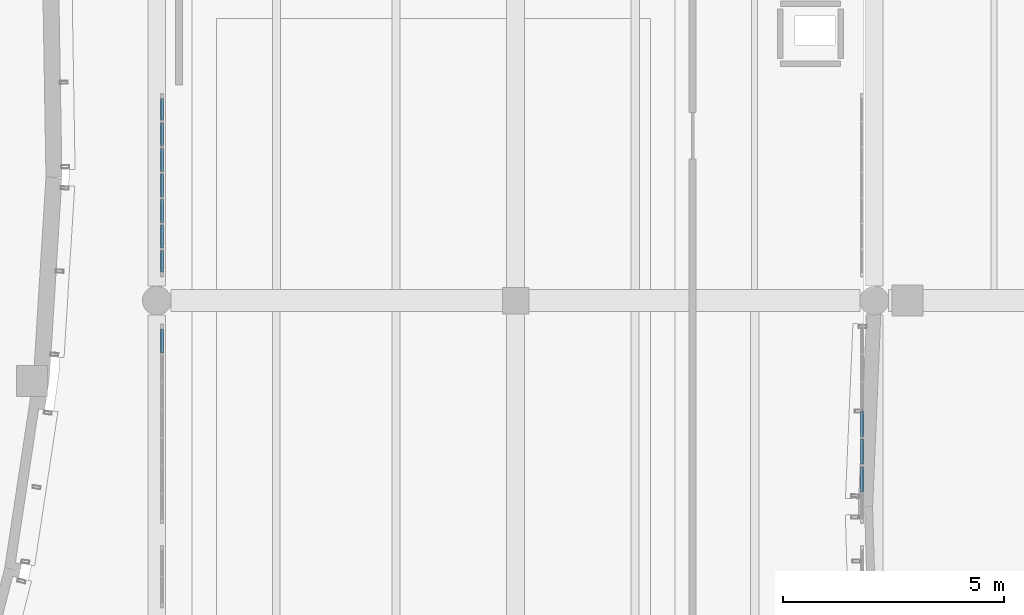
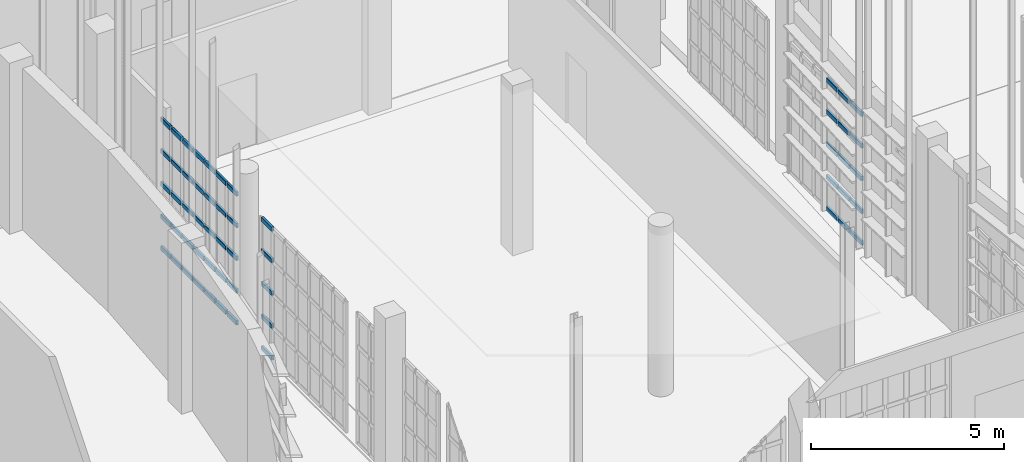
# One storey, part 308 of 372: 55 members, 3 elements without a shape of their own.
"""IFC4 building model written with IfcOpenShell, lengths in metres."""

from ifc_helpers import new_model, si_unit, direction, frame, origin, origin_2d, place, context, subcontext, project, spatial, hollow_rectangle, extrude, material, material_profile, profile_set, type_object, element, aggregate, save


model = new_model("IFC4")

# Units and contexts
model_context = context("Model", 3, precision=1e-05, world=origin(), true_north=direction((0.0, 1.0)))
body_context = subcontext(model_context, "Body", "Model", "MODEL_VIEW")
ifc_project = project(units=[si_unit("LENGTHUNIT", "METRE"), si_unit("AREAUNIT", "SQUARE_METRE"), si_unit("VOLUMEUNIT", "CUBIC_METRE"), si_unit("PLANEANGLEUNIT", "RADIAN"), si_unit("MASSUNIT", "GRAM", prefix="KILO")], contexts=[model_context])

# Site, building, storey
site_placement = place(None, origin())
site = spatial("IfcSite", under=ifc_project, at=site_placement, CompositionType="ELEMENT")
building_placement = place(site_placement, origin())
building = spatial("IfcBuilding", under=site, at=building_placement, Name="Kaelora Sail Theatre", CompositionType="ELEMENT")
storey_placement = place(building_placement, origin())
storey = spatial("IfcBuildingStorey", under=building, at=storey_placement, Name="L00", CompositionType="ELEMENT", Elevation=0.0)

# Curtain wall, members
ifc_material_1 = material(Name="Anodised aluminium and solar-control low-E IGU", Category="aluminium")
curtain_wall_type = type_object("IfcCurtainWallType", Name="ARC-CW-CW-FOY2", PredefinedType="NOTDEFINED", material=ifc_material_1)
curtain_wall_1_placement = place(storey_placement, origin())
curtain_wall_1 = element("IfcCurtainWall", 1, at=curtain_wall_1_placement, inside=storey, type_object=curtain_wall_type, Name="East Interstitial Foyer West Glazed Return L00-03", PredefinedType="NOTDEFINED")
ifc_material_2 = material(Name="Anodised aluminium 6063-T6", Category="aluminium")
ifc_material_profile = material_profile(ifc_material_2, hollow_rectangle(XDim=0.070068359375, YDim=0.139892578125, WallThickness=0.00390625, InnerFilletRadius=0.00390625, OuterFilletRadius=0.008056640625, at=origin_2d()), Name="ALU-TRAN 70x140x4")
ifc_profile_set = profile_set([ifc_material_profile], Name="Anodised aluminium 6063-T6")
member_type = type_object("IfcMemberType", Name="ARC-MEM-TR-140", PredefinedType="USERDEFINED", material=ifc_profile_set)
member_1_placement = place(storey_placement, frame((106.919921875, 52.397216796875, 0.034912109375), z_axis=(0.0, 1.0, 0.0), x_axis=(-1.0, 0.0, 0.0)))
member_1 = element("IfcMember", 2, at=member_1_placement, type_object=member_type, Name="CW-FOY2 transom 7.1", ObjectType="TRANSOM", PredefinedType="USERDEFINED", context=body_context, shape_type="SweptSolid", body=[
    extrude(hollow_rectangle(XDim=0.070068359375, YDim=0.139892578125, WallThickness=0.00390625, InnerFilletRadius=0.00390625, OuterFilletRadius=0.008056640625, at=origin_2d()), origin(), (0.0, 0.0, 1.0), 0.537841796875),
])
member_2_placement = place(storey_placement, frame((106.919921875, 52.397216796875, 1.0341796875), z_axis=(0.0, 1.0, 0.0), x_axis=(-1.0, 0.0, 0.0)))
member_2 = element("IfcMember", 3, at=member_2_placement, type_object=member_type, Name="CW-FOY2 transom 7.2", ObjectType="TRANSOM", PredefinedType="USERDEFINED", context=body_context, shape_type="SweptSolid", body=[
    extrude(hollow_rectangle(XDim=0.070068359375, YDim=0.139892578125, WallThickness=0.00390625, InnerFilletRadius=0.00390625, OuterFilletRadius=0.008056640625, at=origin_2d()), origin(), (0.0, 0.0, 1.0), 0.537841796875),
])
member_3_placement = place(storey_placement, frame((106.919921875, 52.397216796875, 2.068603515625), z_axis=(0.0, 1.0, 0.0), x_axis=(-1.0, 0.0, 0.0)))
member_3 = element("IfcMember", 4, at=member_3_placement, type_object=member_type, Name="CW-FOY2 transom 7.3", ObjectType="TRANSOM", PredefinedType="USERDEFINED", context=body_context, shape_type="SweptSolid", body=[
    extrude(hollow_rectangle(XDim=0.070068359375, YDim=0.139892578125, WallThickness=0.00390625, InnerFilletRadius=0.00390625, OuterFilletRadius=0.008056640625, at=origin_2d()), origin(), (0.0, 0.0, 1.0), 0.537841796875),
])
member_4_placement = place(storey_placement, frame((106.919921875, 52.397216796875, 3.102783203125), z_axis=(0.0, 1.0, 0.0), x_axis=(-1.0, 0.0, 0.0)))
member_4 = element("IfcMember", 5, at=member_4_placement, type_object=member_type, Name="CW-FOY2 transom 7.4", ObjectType="TRANSOM", PredefinedType="USERDEFINED", context=body_context, shape_type="SweptSolid", body=[
    extrude(hollow_rectangle(XDim=0.070068359375, YDim=0.139892578125, WallThickness=0.00390625, InnerFilletRadius=0.00390625, OuterFilletRadius=0.008056640625, at=origin_2d()), origin(), (0.0, 0.0, 1.0), 0.537841796875),
])
member_5_placement = place(storey_placement, frame((106.919921875, 52.397216796875, 4.10205078125), z_axis=(0.0, 1.0, 0.0), x_axis=(-1.0, 0.0, 0.0)))
member_5 = element("IfcMember", 6, at=member_5_placement, type_object=member_type, Name="CW-FOY2 transom 7.5", ObjectType="TRANSOM", PredefinedType="USERDEFINED", context=body_context, shape_type="SweptSolid", body=[
    extrude(hollow_rectangle(XDim=0.070068359375, YDim=0.139892578125, WallThickness=0.00390625, InnerFilletRadius=0.00390625, OuterFilletRadius=0.008056640625, at=origin_2d()), origin(), (0.0, 0.0, 1.0), 0.537841796875),
])
aggregate(curtain_wall_1, [member_1, member_2, member_3, member_4, member_5])

curtain_wall_2_placement = place(storey_placement, origin())
curtain_wall_2 = element("IfcCurtainWall", 7, at=curtain_wall_2_placement, inside=storey, type_object=curtain_wall_type, Name="East Interstitial Foyer East Glazed Return L00-03", PredefinedType="NOTDEFINED")
member_6_placement = place(storey_placement, frame((122.719970703125, 49.2578125, 0.034912109375), z_axis=(0.0, 1.0, 0.0), x_axis=(-1.0, 0.0, 0.0)))
member_6 = element("IfcMember", 8, at=member_6_placement, type_object=member_type, Name="CW-FOY2 transom 2.1", ObjectType="TRANSOM", PredefinedType="USERDEFINED", context=body_context, shape_type="SweptSolid", body=[
    extrude(hollow_rectangle(XDim=0.070068359375, YDim=0.139892578125, WallThickness=0.00390625, InnerFilletRadius=0.00390625, OuterFilletRadius=0.008056640625, at=origin_2d()), origin(), (0.0, 0.0, 1.0), 0.56787109375),
])
member_7_placement = place(storey_placement, frame((122.719970703125, 49.2578125, 1.0341796875), z_axis=(0.0, 1.0, 0.0), x_axis=(-1.0, 0.0, 0.0)))
member_7 = element("IfcMember", 9, at=member_7_placement, type_object=member_type, Name="CW-FOY2 transom 2.2", ObjectType="TRANSOM", PredefinedType="USERDEFINED", context=body_context, shape_type="SweptSolid", body=[
    extrude(hollow_rectangle(XDim=0.070068359375, YDim=0.139892578125, WallThickness=0.00390625, InnerFilletRadius=0.00390625, OuterFilletRadius=0.008056640625, at=origin_2d()), origin(), (0.0, 0.0, 1.0), 0.56787109375),
])
member_8_placement = place(storey_placement, frame((122.719970703125, 49.2578125, 2.068603515625), z_axis=(0.0, 1.0, 0.0), x_axis=(-1.0, 0.0, 0.0)))
member_8 = element("IfcMember", 10, at=member_8_placement, type_object=member_type, Name="CW-FOY2 transom 2.3", ObjectType="TRANSOM", PredefinedType="USERDEFINED", context=body_context, shape_type="SweptSolid", body=[
    extrude(hollow_rectangle(XDim=0.070068359375, YDim=0.139892578125, WallThickness=0.00390625, InnerFilletRadius=0.00390625, OuterFilletRadius=0.008056640625, at=origin_2d()), origin(), (0.0, 0.0, 1.0), 0.56787109375),
])
member_9_placement = place(storey_placement, frame((122.719970703125, 49.2578125, 3.102783203125), z_axis=(0.0, 1.0, 0.0), x_axis=(-1.0, 0.0, 0.0)))
member_9 = element("IfcMember", 11, at=member_9_placement, type_object=member_type, Name="CW-FOY2 transom 2.4", ObjectType="TRANSOM", PredefinedType="USERDEFINED", context=body_context, shape_type="SweptSolid", body=[
    extrude(hollow_rectangle(XDim=0.070068359375, YDim=0.139892578125, WallThickness=0.00390625, InnerFilletRadius=0.00390625, OuterFilletRadius=0.008056640625, at=origin_2d()), origin(), (0.0, 0.0, 1.0), 0.56787109375),
])
member_10_placement = place(storey_placement, frame((122.719970703125, 49.2578125, 4.10205078125), z_axis=(0.0, 1.0, 0.0), x_axis=(-1.0, 0.0, 0.0)))
member_10 = element("IfcMember", 12, at=member_10_placement, type_object=member_type, Name="CW-FOY2 transom 2.5", ObjectType="TRANSOM", PredefinedType="USERDEFINED", context=body_context, shape_type="SweptSolid", body=[
    extrude(hollow_rectangle(XDim=0.070068359375, YDim=0.139892578125, WallThickness=0.00390625, InnerFilletRadius=0.00390625, OuterFilletRadius=0.008056640625, at=origin_2d()), origin(), (0.0, 0.0, 1.0), 0.56787109375),
])
member_11_placement = place(storey_placement, frame((122.719970703125, 49.8857421875, 0.034912109375), z_axis=(0.0, 1.0, 0.0), x_axis=(-1.0, 0.0, 0.0)))
member_11 = element("IfcMember", 13, at=member_11_placement, type_object=member_type, Name="CW-FOY2 transom 3.1", ObjectType="TRANSOM", PredefinedType="USERDEFINED", context=body_context, shape_type="SweptSolid", body=[
    extrude(hollow_rectangle(XDim=0.070068359375, YDim=0.139892578125, WallThickness=0.00390625, InnerFilletRadius=0.00390625, OuterFilletRadius=0.008056640625, at=origin_2d()), origin(), (0.0, 0.0, 1.0), 0.56787109375),
])
member_12_placement = place(storey_placement, frame((122.719970703125, 49.8857421875, 1.0341796875), z_axis=(0.0, 1.0, 0.0), x_axis=(-1.0, 0.0, 0.0)))
member_12 = element("IfcMember", 14, at=member_12_placement, type_object=member_type, Name="CW-FOY2 transom 3.2", ObjectType="TRANSOM", PredefinedType="USERDEFINED", context=body_context, shape_type="SweptSolid", body=[
    extrude(hollow_rectangle(XDim=0.070068359375, YDim=0.139892578125, WallThickness=0.00390625, InnerFilletRadius=0.00390625, OuterFilletRadius=0.008056640625, at=origin_2d()), origin(), (0.0, 0.0, 1.0), 0.56787109375),
])
member_13_placement = place(storey_placement, frame((122.719970703125, 49.8857421875, 2.068603515625), z_axis=(0.0, 1.0, 0.0), x_axis=(-1.0, 0.0, 0.0)))
member_13 = element("IfcMember", 15, at=member_13_placement, type_object=member_type, Name="CW-FOY2 transom 3.3", ObjectType="TRANSOM", PredefinedType="USERDEFINED", context=body_context, shape_type="SweptSolid", body=[
    extrude(hollow_rectangle(XDim=0.070068359375, YDim=0.139892578125, WallThickness=0.00390625, InnerFilletRadius=0.00390625, OuterFilletRadius=0.008056640625, at=origin_2d()), origin(), (0.0, 0.0, 1.0), 0.56787109375),
])
member_14_placement = place(storey_placement, frame((122.719970703125, 49.8857421875, 3.102783203125), z_axis=(0.0, 1.0, 0.0), x_axis=(-1.0, 0.0, 0.0)))
member_14 = element("IfcMember", 16, at=member_14_placement, type_object=member_type, Name="CW-FOY2 transom 3.4", ObjectType="TRANSOM", PredefinedType="USERDEFINED", context=body_context, shape_type="SweptSolid", body=[
    extrude(hollow_rectangle(XDim=0.070068359375, YDim=0.139892578125, WallThickness=0.00390625, InnerFilletRadius=0.00390625, OuterFilletRadius=0.008056640625, at=origin_2d()), origin(), (0.0, 0.0, 1.0), 0.56787109375),
])
member_15_placement = place(storey_placement, frame((122.719970703125, 49.8857421875, 4.10205078125), z_axis=(0.0, 1.0, 0.0), x_axis=(-1.0, 0.0, 0.0)))
member_15 = element("IfcMember", 17, at=member_15_placement, type_object=member_type, Name="CW-FOY2 transom 3.5", ObjectType="TRANSOM", PredefinedType="USERDEFINED", context=body_context, shape_type="SweptSolid", body=[
    extrude(hollow_rectangle(XDim=0.070068359375, YDim=0.139892578125, WallThickness=0.00390625, InnerFilletRadius=0.00390625, OuterFilletRadius=0.008056640625, at=origin_2d()), origin(), (0.0, 0.0, 1.0), 0.56787109375),
])
member_16_placement = place(storey_placement, frame((122.719970703125, 50.513671875, 0.034912109375), z_axis=(0.0, 1.0, 0.0), x_axis=(-1.0, 0.0, 0.0)))
member_16 = element("IfcMember", 18, at=member_16_placement, type_object=member_type, Name="CW-FOY2 transom 4.1", ObjectType="TRANSOM", PredefinedType="USERDEFINED", context=body_context, shape_type="SweptSolid", body=[
    extrude(hollow_rectangle(XDim=0.070068359375, YDim=0.139892578125, WallThickness=0.00390625, InnerFilletRadius=0.00390625, OuterFilletRadius=0.008056640625, at=origin_2d()), origin(), (0.0, 0.0, 1.0), 0.56787109375),
])
member_17_placement = place(storey_placement, frame((122.719970703125, 50.513671875, 1.0341796875), z_axis=(0.0, 1.0, 0.0), x_axis=(-1.0, 0.0, 0.0)))
member_17 = element("IfcMember", 19, at=member_17_placement, type_object=member_type, Name="CW-FOY2 transom 4.2", ObjectType="TRANSOM", PredefinedType="USERDEFINED", context=body_context, shape_type="SweptSolid", body=[
    extrude(hollow_rectangle(XDim=0.070068359375, YDim=0.139892578125, WallThickness=0.00390625, InnerFilletRadius=0.00390625, OuterFilletRadius=0.008056640625, at=origin_2d()), origin(), (0.0, 0.0, 1.0), 0.56787109375),
])
member_18_placement = place(storey_placement, frame((122.719970703125, 50.513671875, 2.068603515625), z_axis=(0.0, 1.0, 0.0), x_axis=(-1.0, 0.0, 0.0)))
member_18 = element("IfcMember", 20, at=member_18_placement, type_object=member_type, Name="CW-FOY2 transom 4.3", ObjectType="TRANSOM", PredefinedType="USERDEFINED", context=body_context, shape_type="SweptSolid", body=[
    extrude(hollow_rectangle(XDim=0.070068359375, YDim=0.139892578125, WallThickness=0.00390625, InnerFilletRadius=0.00390625, OuterFilletRadius=0.008056640625, at=origin_2d()), origin(), (0.0, 0.0, 1.0), 0.56787109375),
])
member_19_placement = place(storey_placement, frame((122.719970703125, 50.513671875, 3.102783203125), z_axis=(0.0, 1.0, 0.0), x_axis=(-1.0, 0.0, 0.0)))
member_19 = element("IfcMember", 21, at=member_19_placement, type_object=member_type, Name="CW-FOY2 transom 4.4", ObjectType="TRANSOM", PredefinedType="USERDEFINED", context=body_context, shape_type="SweptSolid", body=[
    extrude(hollow_rectangle(XDim=0.070068359375, YDim=0.139892578125, WallThickness=0.00390625, InnerFilletRadius=0.00390625, OuterFilletRadius=0.008056640625, at=origin_2d()), origin(), (0.0, 0.0, 1.0), 0.56787109375),
])
member_20_placement = place(storey_placement, frame((122.719970703125, 50.513671875, 4.10205078125), z_axis=(0.0, 1.0, 0.0), x_axis=(-1.0, 0.0, 0.0)))
member_20 = element("IfcMember", 22, at=member_20_placement, type_object=member_type, Name="CW-FOY2 transom 4.5", ObjectType="TRANSOM", PredefinedType="USERDEFINED", context=body_context, shape_type="SweptSolid", body=[
    extrude(hollow_rectangle(XDim=0.070068359375, YDim=0.139892578125, WallThickness=0.00390625, InnerFilletRadius=0.00390625, OuterFilletRadius=0.008056640625, at=origin_2d()), origin(), (0.0, 0.0, 1.0), 0.56787109375),
])
aggregate(curtain_wall_2, [member_6, member_7, member_8, member_9, member_10, member_11, member_12, member_13, member_14, member_15, member_16, member_17, member_18, member_19, member_20])

curtain_wall_3_placement = place(storey_placement, origin())
curtain_wall_3 = element("IfcCurtainWall", 23, at=curtain_wall_3_placement, inside=storey, type_object=curtain_wall_type, Name="East Interstitial Foyer West Glazed Return L00-04", PredefinedType="NOTDEFINED")
member_21_placement = place(storey_placement, frame((106.919921875, 54.22509765625, 0.034912109375), z_axis=(0.0, 1.0, 0.0), x_axis=(-1.0, 0.0, 0.0)))
member_21 = element("IfcMember", 24, at=member_21_placement, type_object=member_type, Name="CW-FOY2 transom 1.1", ObjectType="TRANSOM", PredefinedType="USERDEFINED", context=body_context, shape_type="SweptSolid", body=[
    extrude(hollow_rectangle(XDim=0.070068359375, YDim=0.139892578125, WallThickness=0.00390625, InnerFilletRadius=0.00390625, OuterFilletRadius=0.008056640625, at=origin_2d()), origin(), (0.0, 0.0, 1.0), 0.486328125),
])
member_22_placement = place(storey_placement, frame((106.919921875, 54.22509765625, 1.0341796875), z_axis=(0.0, 1.0, 0.0), x_axis=(-1.0, 0.0, 0.0)))
member_22 = element("IfcMember", 25, at=member_22_placement, type_object=member_type, Name="CW-FOY2 transom 1.2", ObjectType="TRANSOM", PredefinedType="USERDEFINED", context=body_context, shape_type="SweptSolid", body=[
    extrude(hollow_rectangle(XDim=0.070068359375, YDim=0.139892578125, WallThickness=0.00390625, InnerFilletRadius=0.00390625, OuterFilletRadius=0.008056640625, at=origin_2d()), origin(), (0.0, 0.0, 1.0), 0.486328125),
])
member_23_placement = place(storey_placement, frame((106.919921875, 54.22509765625, 2.068603515625), z_axis=(0.0, 1.0, 0.0), x_axis=(-1.0, 0.0, 0.0)))
member_23 = element("IfcMember", 26, at=member_23_placement, type_object=member_type, Name="CW-FOY2 transom 1.3", ObjectType="TRANSOM", PredefinedType="USERDEFINED", context=body_context, shape_type="SweptSolid", body=[
    extrude(hollow_rectangle(XDim=0.070068359375, YDim=0.139892578125, WallThickness=0.00390625, InnerFilletRadius=0.00390625, OuterFilletRadius=0.008056640625, at=origin_2d()), origin(), (0.0, 0.0, 1.0), 0.486328125),
])
member_24_placement = place(storey_placement, frame((106.919921875, 54.22509765625, 3.102783203125), z_axis=(0.0, 1.0, 0.0), x_axis=(-1.0, 0.0, 0.0)))
member_24 = element("IfcMember", 27, at=member_24_placement, type_object=member_type, Name="CW-FOY2 transom 1.4", ObjectType="TRANSOM", PredefinedType="USERDEFINED", context=body_context, shape_type="SweptSolid", body=[
    extrude(hollow_rectangle(XDim=0.070068359375, YDim=0.139892578125, WallThickness=0.00390625, InnerFilletRadius=0.00390625, OuterFilletRadius=0.008056640625, at=origin_2d()), origin(), (0.0, 0.0, 1.0), 0.486328125),
])
member_25_placement = place(storey_placement, frame((106.919921875, 54.22509765625, 4.10205078125), z_axis=(0.0, 1.0, 0.0), x_axis=(-1.0, 0.0, 0.0)))
member_25 = element("IfcMember", 28, at=member_25_placement, type_object=member_type, Name="CW-FOY2 transom 1.5", ObjectType="TRANSOM", PredefinedType="USERDEFINED", context=body_context, shape_type="SweptSolid", body=[
    extrude(hollow_rectangle(XDim=0.070068359375, YDim=0.139892578125, WallThickness=0.00390625, InnerFilletRadius=0.00390625, OuterFilletRadius=0.008056640625, at=origin_2d()), origin(), (0.0, 0.0, 1.0), 0.486328125),
])
member_26_placement = place(storey_placement, frame((106.919921875, 54.771484375, 0.034912109375), z_axis=(0.0, 1.0, 0.0), x_axis=(-1.0, 0.0, 0.0)))
member_26 = element("IfcMember", 29, at=member_26_placement, type_object=member_type, Name="CW-FOY2 transom 2.1", ObjectType="TRANSOM", PredefinedType="USERDEFINED", context=body_context, shape_type="SweptSolid", body=[
    extrude(hollow_rectangle(XDim=0.070068359375, YDim=0.139892578125, WallThickness=0.00390625, InnerFilletRadius=0.00390625, OuterFilletRadius=0.008056640625, at=origin_2d()), origin(), (0.0, 0.0, 1.0), 0.516357421875),
])
member_27_placement = place(storey_placement, frame((106.919921875, 54.771484375, 1.0341796875), z_axis=(0.0, 1.0, 0.0), x_axis=(-1.0, 0.0, 0.0)))
member_27 = element("IfcMember", 30, at=member_27_placement, type_object=member_type, Name="CW-FOY2 transom 2.2", ObjectType="TRANSOM", PredefinedType="USERDEFINED", context=body_context, shape_type="SweptSolid", body=[
    extrude(hollow_rectangle(XDim=0.070068359375, YDim=0.139892578125, WallThickness=0.00390625, InnerFilletRadius=0.00390625, OuterFilletRadius=0.008056640625, at=origin_2d()), origin(), (0.0, 0.0, 1.0), 0.516357421875),
])
member_28_placement = place(storey_placement, frame((106.919921875, 54.771484375, 2.068603515625), z_axis=(0.0, 1.0, 0.0), x_axis=(-1.0, 0.0, 0.0)))
member_28 = element("IfcMember", 31, at=member_28_placement, type_object=member_type, Name="CW-FOY2 transom 2.3", ObjectType="TRANSOM", PredefinedType="USERDEFINED", context=body_context, shape_type="SweptSolid", body=[
    extrude(hollow_rectangle(XDim=0.070068359375, YDim=0.139892578125, WallThickness=0.00390625, InnerFilletRadius=0.00390625, OuterFilletRadius=0.008056640625, at=origin_2d()), origin(), (0.0, 0.0, 1.0), 0.516357421875),
])
member_29_placement = place(storey_placement, frame((106.919921875, 54.771484375, 3.102783203125), z_axis=(0.0, 1.0, 0.0), x_axis=(-1.0, 0.0, 0.0)))
member_29 = element("IfcMember", 32, at=member_29_placement, type_object=member_type, Name="CW-FOY2 transom 2.4", ObjectType="TRANSOM", PredefinedType="USERDEFINED", context=body_context, shape_type="SweptSolid", body=[
    extrude(hollow_rectangle(XDim=0.070068359375, YDim=0.139892578125, WallThickness=0.00390625, InnerFilletRadius=0.00390625, OuterFilletRadius=0.008056640625, at=origin_2d()), origin(), (0.0, 0.0, 1.0), 0.516357421875),
])
member_30_placement = place(storey_placement, frame((106.919921875, 54.771484375, 4.10205078125), z_axis=(0.0, 1.0, 0.0), x_axis=(-1.0, 0.0, 0.0)))
member_30 = element("IfcMember", 33, at=member_30_placement, type_object=member_type, Name="CW-FOY2 transom 2.5", ObjectType="TRANSOM", PredefinedType="USERDEFINED", context=body_context, shape_type="SweptSolid", body=[
    extrude(hollow_rectangle(XDim=0.070068359375, YDim=0.139892578125, WallThickness=0.00390625, InnerFilletRadius=0.00390625, OuterFilletRadius=0.008056640625, at=origin_2d()), origin(), (0.0, 0.0, 1.0), 0.516357421875),
])
member_31_placement = place(storey_placement, frame((106.919921875, 55.347900390625, 0.034912109375), z_axis=(0.0, 1.0, 0.0), x_axis=(-1.0, 0.0, 0.0)))
member_31 = element("IfcMember", 34, at=member_31_placement, type_object=member_type, Name="CW-FOY2 transom 3.1", ObjectType="TRANSOM", PredefinedType="USERDEFINED", context=body_context, shape_type="SweptSolid", body=[
    extrude(hollow_rectangle(XDim=0.070068359375, YDim=0.139892578125, WallThickness=0.00390625, InnerFilletRadius=0.00390625, OuterFilletRadius=0.008056640625, at=origin_2d()), origin(), (0.0, 0.0, 1.0), 0.516357421875),
])
member_32_placement = place(storey_placement, frame((106.919921875, 55.347900390625, 1.0341796875), z_axis=(0.0, 1.0, 0.0), x_axis=(-1.0, 0.0, 0.0)))
member_32 = element("IfcMember", 35, at=member_32_placement, type_object=member_type, Name="CW-FOY2 transom 3.2", ObjectType="TRANSOM", PredefinedType="USERDEFINED", context=body_context, shape_type="SweptSolid", body=[
    extrude(hollow_rectangle(XDim=0.070068359375, YDim=0.139892578125, WallThickness=0.00390625, InnerFilletRadius=0.00390625, OuterFilletRadius=0.008056640625, at=origin_2d()), origin(), (0.0, 0.0, 1.0), 0.516357421875),
])
member_33_placement = place(storey_placement, frame((106.919921875, 55.347900390625, 2.068603515625), z_axis=(0.0, 1.0, 0.0), x_axis=(-1.0, 0.0, 0.0)))
member_33 = element("IfcMember", 36, at=member_33_placement, type_object=member_type, Name="CW-FOY2 transom 3.3", ObjectType="TRANSOM", PredefinedType="USERDEFINED", context=body_context, shape_type="SweptSolid", body=[
    extrude(hollow_rectangle(XDim=0.070068359375, YDim=0.139892578125, WallThickness=0.00390625, InnerFilletRadius=0.00390625, OuterFilletRadius=0.008056640625, at=origin_2d()), origin(), (0.0, 0.0, 1.0), 0.516357421875),
])
member_34_placement = place(storey_placement, frame((106.919921875, 55.347900390625, 3.102783203125), z_axis=(0.0, 1.0, 0.0), x_axis=(-1.0, 0.0, 0.0)))
member_34 = element("IfcMember", 37, at=member_34_placement, type_object=member_type, Name="CW-FOY2 transom 3.4", ObjectType="TRANSOM", PredefinedType="USERDEFINED", context=body_context, shape_type="SweptSolid", body=[
    extrude(hollow_rectangle(XDim=0.070068359375, YDim=0.139892578125, WallThickness=0.00390625, InnerFilletRadius=0.00390625, OuterFilletRadius=0.008056640625, at=origin_2d()), origin(), (0.0, 0.0, 1.0), 0.516357421875),
])
member_35_placement = place(storey_placement, frame((106.919921875, 55.347900390625, 4.10205078125), z_axis=(0.0, 1.0, 0.0), x_axis=(-1.0, 0.0, 0.0)))
member_35 = element("IfcMember", 38, at=member_35_placement, type_object=member_type, Name="CW-FOY2 transom 3.5", ObjectType="TRANSOM", PredefinedType="USERDEFINED", context=body_context, shape_type="SweptSolid", body=[
    extrude(hollow_rectangle(XDim=0.070068359375, YDim=0.139892578125, WallThickness=0.00390625, InnerFilletRadius=0.00390625, OuterFilletRadius=0.008056640625, at=origin_2d()), origin(), (0.0, 0.0, 1.0), 0.516357421875),
])
member_36_placement = place(storey_placement, frame((106.919921875, 55.92431640625, 0.034912109375), z_axis=(0.0, 1.0, 0.0), x_axis=(-1.0, 0.0, 0.0)))
member_36 = element("IfcMember", 39, at=member_36_placement, type_object=member_type, Name="CW-FOY2 transom 4.1", ObjectType="TRANSOM", PredefinedType="USERDEFINED", context=body_context, shape_type="SweptSolid", body=[
    extrude(hollow_rectangle(XDim=0.070068359375, YDim=0.139892578125, WallThickness=0.00390625, InnerFilletRadius=0.00390625, OuterFilletRadius=0.008056640625, at=origin_2d()), origin(), (0.0, 0.0, 1.0), 0.516357421875),
])
member_37_placement = place(storey_placement, frame((106.919921875, 55.92431640625, 1.0341796875), z_axis=(0.0, 1.0, 0.0), x_axis=(-1.0, 0.0, 0.0)))
member_37 = element("IfcMember", 40, at=member_37_placement, type_object=member_type, Name="CW-FOY2 transom 4.2", ObjectType="TRANSOM", PredefinedType="USERDEFINED", context=body_context, shape_type="SweptSolid", body=[
    extrude(hollow_rectangle(XDim=0.070068359375, YDim=0.139892578125, WallThickness=0.00390625, InnerFilletRadius=0.00390625, OuterFilletRadius=0.008056640625, at=origin_2d()), origin(), (0.0, 0.0, 1.0), 0.516357421875),
])
member_38_placement = place(storey_placement, frame((106.919921875, 55.92431640625, 2.068603515625), z_axis=(0.0, 1.0, 0.0), x_axis=(-1.0, 0.0, 0.0)))
member_38 = element("IfcMember", 41, at=member_38_placement, type_object=member_type, Name="CW-FOY2 transom 4.3", ObjectType="TRANSOM", PredefinedType="USERDEFINED", context=body_context, shape_type="SweptSolid", body=[
    extrude(hollow_rectangle(XDim=0.070068359375, YDim=0.139892578125, WallThickness=0.00390625, InnerFilletRadius=0.00390625, OuterFilletRadius=0.008056640625, at=origin_2d()), origin(), (0.0, 0.0, 1.0), 0.516357421875),
])
member_39_placement = place(storey_placement, frame((106.919921875, 55.92431640625, 3.102783203125), z_axis=(0.0, 1.0, 0.0), x_axis=(-1.0, 0.0, 0.0)))
member_39 = element("IfcMember", 42, at=member_39_placement, type_object=member_type, Name="CW-FOY2 transom 4.4", ObjectType="TRANSOM", PredefinedType="USERDEFINED", context=body_context, shape_type="SweptSolid", body=[
    extrude(hollow_rectangle(XDim=0.070068359375, YDim=0.139892578125, WallThickness=0.00390625, InnerFilletRadius=0.00390625, OuterFilletRadius=0.008056640625, at=origin_2d()), origin(), (0.0, 0.0, 1.0), 0.516357421875),
])
member_40_placement = place(storey_placement, frame((106.919921875, 55.92431640625, 4.10205078125), z_axis=(0.0, 1.0, 0.0), x_axis=(-1.0, 0.0, 0.0)))
member_40 = element("IfcMember", 43, at=member_40_placement, type_object=member_type, Name="CW-FOY2 transom 4.5", ObjectType="TRANSOM", PredefinedType="USERDEFINED", context=body_context, shape_type="SweptSolid", body=[
    extrude(hollow_rectangle(XDim=0.070068359375, YDim=0.139892578125, WallThickness=0.00390625, InnerFilletRadius=0.00390625, OuterFilletRadius=0.008056640625, at=origin_2d()), origin(), (0.0, 0.0, 1.0), 0.516357421875),
])
member_41_placement = place(storey_placement, frame((106.919921875, 56.500732421875, 0.034912109375), z_axis=(0.0, 1.0, 0.0), x_axis=(-1.0, 0.0, 0.0)))
member_41 = element("IfcMember", 44, at=member_41_placement, type_object=member_type, Name="CW-FOY2 transom 5.1", ObjectType="TRANSOM", PredefinedType="USERDEFINED", context=body_context, shape_type="SweptSolid", body=[
    extrude(hollow_rectangle(XDim=0.070068359375, YDim=0.139892578125, WallThickness=0.00390625, InnerFilletRadius=0.00390625, OuterFilletRadius=0.008056640625, at=origin_2d()), origin(), (0.0, 0.0, 1.0), 0.516357421875),
])
member_42_placement = place(storey_placement, frame((106.919921875, 56.500732421875, 1.0341796875), z_axis=(0.0, 1.0, 0.0), x_axis=(-1.0, 0.0, 0.0)))
member_42 = element("IfcMember", 45, at=member_42_placement, type_object=member_type, Name="CW-FOY2 transom 5.2", ObjectType="TRANSOM", PredefinedType="USERDEFINED", context=body_context, shape_type="SweptSolid", body=[
    extrude(hollow_rectangle(XDim=0.070068359375, YDim=0.139892578125, WallThickness=0.00390625, InnerFilletRadius=0.00390625, OuterFilletRadius=0.008056640625, at=origin_2d()), origin(), (0.0, 0.0, 1.0), 0.516357421875),
])
member_43_placement = place(storey_placement, frame((106.919921875, 56.500732421875, 2.068603515625), z_axis=(0.0, 1.0, 0.0), x_axis=(-1.0, 0.0, 0.0)))
member_43 = element("IfcMember", 46, at=member_43_placement, type_object=member_type, Name="CW-FOY2 transom 5.3", ObjectType="TRANSOM", PredefinedType="USERDEFINED", context=body_context, shape_type="SweptSolid", body=[
    extrude(hollow_rectangle(XDim=0.070068359375, YDim=0.139892578125, WallThickness=0.00390625, InnerFilletRadius=0.00390625, OuterFilletRadius=0.008056640625, at=origin_2d()), origin(), (0.0, 0.0, 1.0), 0.516357421875),
])
member_44_placement = place(storey_placement, frame((106.919921875, 56.500732421875, 3.102783203125), z_axis=(0.0, 1.0, 0.0), x_axis=(-1.0, 0.0, 0.0)))
member_44 = element("IfcMember", 47, at=member_44_placement, type_object=member_type, Name="CW-FOY2 transom 5.4", ObjectType="TRANSOM", PredefinedType="USERDEFINED", context=body_context, shape_type="SweptSolid", body=[
    extrude(hollow_rectangle(XDim=0.070068359375, YDim=0.139892578125, WallThickness=0.00390625, InnerFilletRadius=0.00390625, OuterFilletRadius=0.008056640625, at=origin_2d()), origin(), (0.0, 0.0, 1.0), 0.516357421875),
])
member_45_placement = place(storey_placement, frame((106.919921875, 56.500732421875, 4.10205078125), z_axis=(0.0, 1.0, 0.0), x_axis=(-1.0, 0.0, 0.0)))
member_45 = element("IfcMember", 48, at=member_45_placement, type_object=member_type, Name="CW-FOY2 transom 5.5", ObjectType="TRANSOM", PredefinedType="USERDEFINED", context=body_context, shape_type="SweptSolid", body=[
    extrude(hollow_rectangle(XDim=0.070068359375, YDim=0.139892578125, WallThickness=0.00390625, InnerFilletRadius=0.00390625, OuterFilletRadius=0.008056640625, at=origin_2d()), origin(), (0.0, 0.0, 1.0), 0.516357421875),
])
member_46_placement = place(storey_placement, frame((106.919921875, 57.0771484375, 0.034912109375), z_axis=(0.0, 1.0, 0.0), x_axis=(-1.0, 0.0, 0.0)))
member_46 = element("IfcMember", 49, at=member_46_placement, type_object=member_type, Name="CW-FOY2 transom 6.1", ObjectType="TRANSOM", PredefinedType="USERDEFINED", context=body_context, shape_type="SweptSolid", body=[
    extrude(hollow_rectangle(XDim=0.070068359375, YDim=0.139892578125, WallThickness=0.00390625, InnerFilletRadius=0.00390625, OuterFilletRadius=0.008056640625, at=origin_2d()), origin(), (0.0, 0.0, 1.0), 0.516357421875),
])
member_47_placement = place(storey_placement, frame((106.919921875, 57.0771484375, 1.0341796875), z_axis=(0.0, 1.0, 0.0), x_axis=(-1.0, 0.0, 0.0)))
member_47 = element("IfcMember", 50, at=member_47_placement, type_object=member_type, Name="CW-FOY2 transom 6.2", ObjectType="TRANSOM", PredefinedType="USERDEFINED", context=body_context, shape_type="SweptSolid", body=[
    extrude(hollow_rectangle(XDim=0.070068359375, YDim=0.139892578125, WallThickness=0.00390625, InnerFilletRadius=0.00390625, OuterFilletRadius=0.008056640625, at=origin_2d()), origin(), (0.0, 0.0, 1.0), 0.516357421875),
])
member_48_placement = place(storey_placement, frame((106.919921875, 57.0771484375, 2.068603515625), z_axis=(0.0, 1.0, 0.0), x_axis=(-1.0, 0.0, 0.0)))
member_48 = element("IfcMember", 51, at=member_48_placement, type_object=member_type, Name="CW-FOY2 transom 6.3", ObjectType="TRANSOM", PredefinedType="USERDEFINED", context=body_context, shape_type="SweptSolid", body=[
    extrude(hollow_rectangle(XDim=0.070068359375, YDim=0.139892578125, WallThickness=0.00390625, InnerFilletRadius=0.00390625, OuterFilletRadius=0.008056640625, at=origin_2d()), origin(), (0.0, 0.0, 1.0), 0.516357421875),
])
member_49_placement = place(storey_placement, frame((106.919921875, 57.0771484375, 3.102783203125), z_axis=(0.0, 1.0, 0.0), x_axis=(-1.0, 0.0, 0.0)))
member_49 = element("IfcMember", 52, at=member_49_placement, type_object=member_type, Name="CW-FOY2 transom 6.4", ObjectType="TRANSOM", PredefinedType="USERDEFINED", context=body_context, shape_type="SweptSolid", body=[
    extrude(hollow_rectangle(XDim=0.070068359375, YDim=0.139892578125, WallThickness=0.00390625, InnerFilletRadius=0.00390625, OuterFilletRadius=0.008056640625, at=origin_2d()), origin(), (0.0, 0.0, 1.0), 0.516357421875),
])
member_50_placement = place(storey_placement, frame((106.919921875, 57.0771484375, 4.10205078125), z_axis=(0.0, 1.0, 0.0), x_axis=(-1.0, 0.0, 0.0)))
member_50 = element("IfcMember", 53, at=member_50_placement, type_object=member_type, Name="CW-FOY2 transom 6.5", ObjectType="TRANSOM", PredefinedType="USERDEFINED", context=body_context, shape_type="SweptSolid", body=[
    extrude(hollow_rectangle(XDim=0.070068359375, YDim=0.139892578125, WallThickness=0.00390625, InnerFilletRadius=0.00390625, OuterFilletRadius=0.008056640625, at=origin_2d()), origin(), (0.0, 0.0, 1.0), 0.516357421875),
])
member_51_placement = place(storey_placement, frame((106.919921875, 57.653564453125, 0.034912109375), z_axis=(0.0, 1.0, 0.0), x_axis=(-1.0, 0.0, 0.0)))
member_51 = element("IfcMember", 54, at=member_51_placement, type_object=member_type, Name="CW-FOY2 transom 7.1", ObjectType="TRANSOM", PredefinedType="USERDEFINED", context=body_context, shape_type="SweptSolid", body=[
    extrude(hollow_rectangle(XDim=0.070068359375, YDim=0.139892578125, WallThickness=0.00390625, InnerFilletRadius=0.00390625, OuterFilletRadius=0.008056640625, at=origin_2d()), origin(), (0.0, 0.0, 1.0), 0.486328125),
])
member_52_placement = place(storey_placement, frame((106.919921875, 57.653564453125, 1.0341796875), z_axis=(0.0, 1.0, 0.0), x_axis=(-1.0, 0.0, 0.0)))
member_52 = element("IfcMember", 55, at=member_52_placement, type_object=member_type, Name="CW-FOY2 transom 7.2", ObjectType="TRANSOM", PredefinedType="USERDEFINED", context=body_context, shape_type="SweptSolid", body=[
    extrude(hollow_rectangle(XDim=0.070068359375, YDim=0.139892578125, WallThickness=0.00390625, InnerFilletRadius=0.00390625, OuterFilletRadius=0.008056640625, at=origin_2d()), origin(), (0.0, 0.0, 1.0), 0.486328125),
])
member_53_placement = place(storey_placement, frame((106.919921875, 57.653564453125, 2.068603515625), z_axis=(0.0, 1.0, 0.0), x_axis=(-1.0, 0.0, 0.0)))
member_53 = element("IfcMember", 56, at=member_53_placement, type_object=member_type, Name="CW-FOY2 transom 7.3", ObjectType="TRANSOM", PredefinedType="USERDEFINED", context=body_context, shape_type="SweptSolid", body=[
    extrude(hollow_rectangle(XDim=0.070068359375, YDim=0.139892578125, WallThickness=0.00390625, InnerFilletRadius=0.00390625, OuterFilletRadius=0.008056640625, at=origin_2d()), origin(), (0.0, 0.0, 1.0), 0.486328125),
])
member_54_placement = place(storey_placement, frame((106.919921875, 57.653564453125, 3.102783203125), z_axis=(0.0, 1.0, 0.0), x_axis=(-1.0, 0.0, 0.0)))
member_54 = element("IfcMember", 57, at=member_54_placement, type_object=member_type, Name="CW-FOY2 transom 7.4", ObjectType="TRANSOM", PredefinedType="USERDEFINED", context=body_context, shape_type="SweptSolid", body=[
    extrude(hollow_rectangle(XDim=0.070068359375, YDim=0.139892578125, WallThickness=0.00390625, InnerFilletRadius=0.00390625, OuterFilletRadius=0.008056640625, at=origin_2d()), origin(), (0.0, 0.0, 1.0), 0.486328125),
])
member_55_placement = place(storey_placement, frame((106.919921875, 57.653564453125, 4.10205078125), z_axis=(0.0, 1.0, 0.0), x_axis=(-1.0, 0.0, 0.0)))
member_55 = element("IfcMember", 58, at=member_55_placement, type_object=member_type, Name="CW-FOY2 transom 7.5", ObjectType="TRANSOM", PredefinedType="USERDEFINED", context=body_context, shape_type="SweptSolid", body=[
    extrude(hollow_rectangle(XDim=0.070068359375, YDim=0.139892578125, WallThickness=0.00390625, InnerFilletRadius=0.00390625, OuterFilletRadius=0.008056640625, at=origin_2d()), origin(), (0.0, 0.0, 1.0), 0.486328125),
])
aggregate(curtain_wall_3, [member_21, member_22, member_23, member_24, member_25, member_26, member_27, member_28, member_29, member_30, member_31, member_32, member_33, member_34, member_35, member_36, member_37, member_38, member_39, member_40, member_41, member_42, member_43, member_44, member_45, member_46, member_47, member_48, member_49, member_50, member_51, member_52, member_53, member_54, member_55])

save(model, "model.ifc")
